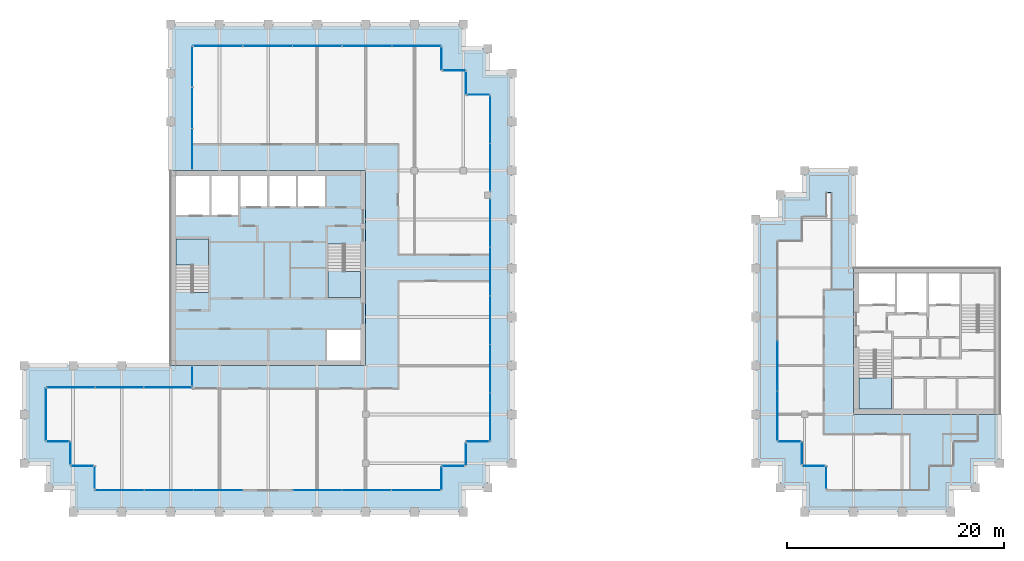
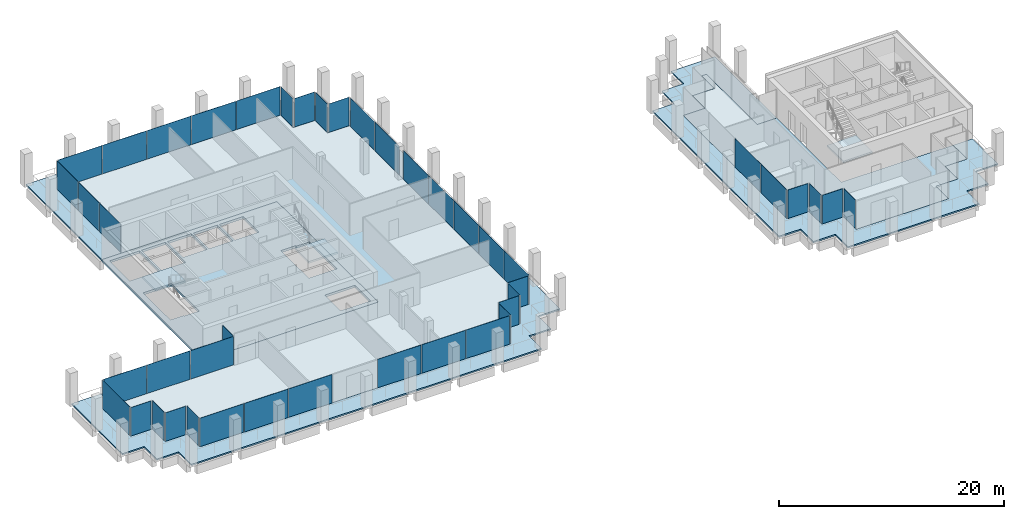
# One storey, part 34 of 40: 44 plates, 8 slabs, 29 elements without a shape of their own.
"""IFC4 building model written with IfcOpenShell, lengths in metres."""

from ifc_helpers import new_model, si_unit, direction, frame, origin, origin_2d, place, context, subcontext, project, spatial, polyline, rectangle, outline, extrude, material, layer, layer_set, type_object, element, aggregate, save


model = new_model("IFC4")

# Units and contexts
model_context = context("Model", 3, precision=1e-05, world=origin(), true_north=direction((0.0, 1.0)))
body_context = subcontext(model_context, "Body", "Model", "MODEL_VIEW")
ifc_project = project(units=[si_unit("LENGTHUNIT", "METRE"), si_unit("AREAUNIT", "SQUARE_METRE"), si_unit("VOLUMEUNIT", "CUBIC_METRE"), si_unit("PLANEANGLEUNIT", "RADIAN"), si_unit("MASSUNIT", "GRAM", prefix="KILO")], contexts=[model_context])

# Site, building, storey
site_placement = place(None, origin())
site = spatial("IfcSite", under=ifc_project, at=site_placement, CompositionType="ELEMENT")
building_placement = place(site_placement, origin())
building = spatial("IfcBuilding", under=site, at=building_placement, Name="Altepetl Exchange Towers", CompositionType="ELEMENT")
storey_placement = place(building_placement, frame((0.0, 0.0, 195.60009765625)))
storey = spatial("IfcBuildingStorey", under=building, at=storey_placement, Name="L49", CompositionType="ELEMENT", Elevation=195.60009765625)

# Slabs
ifc_material_1 = material(Name="Concrete C40/50", Category="concrete")
ifc_layer_1 = layer(ifc_material_1, 0.14990234375)
ifc_layer_set_1 = layer_set([ifc_layer_1], Name="Concrete C40/50")
slab_type_1 = type_object("IfcSlabType", Name="Composite floor slab 150", PredefinedType="FLOOR", material=ifc_layer_set_1)
slab_1_placement = place(storey_placement, frame((0.0, 0.0, -0.150146484375)))
element("IfcSlab", 1, at=slab_1_placement, inside=storey, type_object=slab_type_1, Name="slab:A:L49:strip0", PredefinedType="FLOOR", context=body_context, shape_type="SweptSolid", body=[
    extrude(outline(polyline([(42.5, 70.0), (42.5, 58.5), (58.5, 58.5), (58.5, 40.5), (42.5, 40.5), (42.5, 38.5), (29.0, 38.5), (29.0, 33.5), (31.25, 33.5), (31.25, 31.25), (33.5, 31.25), (33.5, 29.0), (65.5, 29.0), (65.5, 31.25), (67.75, 31.25), (67.75, 33.5), (70.0, 33.5), (70.0, 65.5), (67.75, 65.5), (67.75, 67.75), (65.5, 67.75), (65.5, 70.0), (42.5, 70.0)])), origin(), (0.0, 0.0, 1.0), 0.150146484375),
])
slab_2_placement = place(storey_placement, frame((0.0, 0.0, -0.150146484375)))
element("IfcSlab", 2, at=slab_2_placement, inside=storey, type_object=slab_type_1, Name="slab:B:L49:strip0", PredefinedType="FLOOR", context=body_context, shape_type="SweptSolid", body=[
    extrude(outline(polyline([(98.75, 31.25), (101.0, 31.25), (101.0, 29.0), (110.5, 29.0), (110.5, 31.25), (112.75, 31.25), (112.75, 33.5), (115.0, 33.5), (115.0, 36.0), (103.5, 36.0), (103.5, 47.5), (101.5, 47.5), (101.5, 56.5), (101.0, 56.5), (101.0, 54.25), (98.75, 54.25), (98.75, 52.0), (96.5, 52.0), (96.5, 33.5), (98.75, 33.5), (98.75, 31.25)])), origin(), (0.0, 0.0, 1.0), 0.150146484375),
])
ifc_layer_2 = layer(ifc_material_1, 0.25)
ifc_layer_set_2 = layer_set([ifc_layer_2], Name="Concrete C40/50")
slab_type_2 = type_object("IfcSlabType", Name="Core floor slab 250", PredefinedType="FLOOR", material=ifc_layer_set_2)
slab_3_placement = place(storey_placement, frame((0.0, 0.0, -0.25)))
element("IfcSlab", 3, at=slab_3_placement, inside=storey, type_object=slab_type_2, Name="slab:A:L49:core0", PredefinedType="FLOOR", context=body_context, shape_type="SweptSolid", body=[
    extrude(outline(polyline([(40.5, 40.5), (58.5, 40.5), (58.5, 58.5), (40.5, 58.5), (40.5, 40.5)]), holes=[polyline([(54.93310546875, 43.800048828125), (58.0, 43.800048828125), (58.0, 41.0), (54.93310546875, 41.0), (54.93310546875, 43.800048828125)]), polyline([(55.0, 51.7490234375), (56.550048828125, 51.7490234375), (56.550048828125, 51.64990234375), (57.89990234375, 51.64990234375), (57.89990234375, 46.800048828125), (55.0, 46.800048828125), (55.0, 51.7490234375)]), polyline([(44.0, 47.2509765625), (42.449951171875, 47.2509765625), (42.449951171875, 47.35009765625), (41.10009765625, 47.35009765625), (41.10009765625, 52.199951171875), (44.0, 52.199951171875), (44.0, 47.2509765625)]), polyline([(41.0, 58.0), (44.06689453125, 58.0), (44.06689453125, 54.39990234375), (41.0, 54.39990234375), (41.0, 58.0)]), polyline([(44.26708984375, 58.0), (46.73291015625, 58.0), (46.73291015625, 54.39990234375), (44.26708984375, 54.39990234375), (44.26708984375, 58.0)]), polyline([(46.93310546875, 58.0), (49.39990234375, 58.0), (49.39990234375, 55.199951171875), (46.93310546875, 55.199951171875), (46.93310546875, 58.0)]), polyline([(49.60009765625, 58.0), (52.06689453125, 58.0), (52.06689453125, 55.199951171875), (49.60009765625, 55.199951171875), (49.60009765625, 58.0)]), polyline([(52.26708984375, 58.0), (54.73291015625, 58.0), (54.73291015625, 55.199951171875), (52.26708984375, 55.199951171875), (52.26708984375, 58.0)])]), origin(), (0.0, 0.0, 1.0), 0.25),
])

# Curtain wall, plate
ifc_material_2 = material(Name="Aluminium 6063-T6 glazing", Category="aluminium")
curtain_wall_type = type_object("IfcCurtainWallType", Name="Loggia glazing system", PredefinedType="NOTDEFINED", material=ifc_material_2)
curtain_wall_1_placement = place(storey_placement, origin())
curtain_wall_1 = element("IfcCurtainWall", 4, at=curtain_wall_1_placement, inside=storey, type_object=curtain_wall_type, Name="CW1 run", PredefinedType="NOTDEFINED")
ifc_material_3 = material(Name="Glass 6-16-6 low emissivity", Category="glass")
ifc_layer_3 = layer(ifc_material_3, 0.028076171875)
ifc_layer_set_3 = layer_set([ifc_layer_3], Name="Glass 6-16-6 low emissivity")
plate_type = type_object("IfcPlateType", Name="Glass panel 28 double glazed", PredefinedType="CURTAIN_PANEL", material=ifc_layer_set_3)
plate_1_placement = place(storey_placement, frame((42.5, 39.53759765625, -0.000244140625), z_axis=(0.0, 0.0, 1.0), x_axis=(0.0, -1.0, 0.0)))
plate_1 = element("IfcPlate", 5, at=plate_1_placement, type_object=plate_type, Name="GP1 panel", PredefinedType="CURTAIN_PANEL", context=body_context, shape_type="SweptSolid", body=[
    extrude(rectangle(XDim=1.804931640625, YDim=0.028076171875, at=origin_2d()), origin(), (0.0, 0.0, 1.0), 3.10009765625),
])
aggregate(curtain_wall_1, [plate_1])

# Curtain wall, plates
curtain_wall_2_placement = place(storey_placement, origin())
curtain_wall_2 = element("IfcCurtainWall", 6, at=curtain_wall_2_placement, inside=storey, type_object=curtain_wall_type, Name="CW1 run", PredefinedType="NOTDEFINED")
plate_2_placement = place(storey_placement, frame((40.24755859375, 38.5, -0.000244140625), z_axis=(0.0, 0.0, 1.0), x_axis=(-1.0, 0.0, 0.0)))
plate_2 = element("IfcPlate", 7, at=plate_2_placement, type_object=plate_type, Name="GP1 panel", PredefinedType="CURTAIN_PANEL", context=body_context, shape_type="SweptSolid", body=[
    extrude(rectangle(XDim=4.385009765625, YDim=0.028076171875, at=origin_2d()), origin(), (0.0, 0.0, 1.0), 3.10009765625),
])
plate_3_placement = place(storey_placement, frame((35.78759765625, 38.5, -0.000244140625), z_axis=(0.0, 0.0, 1.0), x_axis=(-1.0, 0.0, 0.0)))
plate_3 = element("IfcPlate", 8, at=plate_3_placement, type_object=plate_type, Name="GP1 panel", PredefinedType="CURTAIN_PANEL", context=body_context, shape_type="SweptSolid", body=[
    extrude(rectangle(XDim=4.4150390625, YDim=0.028076171875, at=origin_2d()), origin(), (0.0, 0.0, 1.0), 3.10009765625),
])
plate_4_placement = place(storey_placement, frame((31.327392578125, 38.5, -0.000244140625), z_axis=(0.0, 0.0, 1.0), x_axis=(-1.0, 0.0, 0.0)))
plate_4 = element("IfcPlate", 9, at=plate_4_placement, type_object=plate_type, Name="GP1 panel", PredefinedType="CURTAIN_PANEL", context=body_context, shape_type="SweptSolid", body=[
    extrude(rectangle(XDim=4.385009765625, YDim=0.028076171875, at=origin_2d()), origin(), (0.0, 0.0, 1.0), 3.10009765625),
])
aggregate(curtain_wall_2, [plate_2, plate_3, plate_4])

# Curtain wall, plate
curtain_wall_3_placement = place(storey_placement, origin())
curtain_wall_3 = element("IfcCurtainWall", 10, at=curtain_wall_3_placement, inside=storey, type_object=curtain_wall_type, Name="CW1 run", PredefinedType="NOTDEFINED")
plate_5_placement = place(storey_placement, frame((29.0, 36.03759765625, -0.000244140625), z_axis=(0.0, 0.0, 1.0), x_axis=(0.0, -1.0, 0.0)))
plate_5 = element("IfcPlate", 11, at=plate_5_placement, type_object=plate_type, Name="GP1 panel", PredefinedType="CURTAIN_PANEL", context=body_context, shape_type="SweptSolid", body=[
    extrude(rectangle(XDim=4.804931640625, YDim=0.028076171875, at=origin_2d()), origin(), (0.0, 0.0, 1.0), 3.10009765625),
])
aggregate(curtain_wall_3, [plate_5])

curtain_wall_4_placement = place(storey_placement, origin())
curtain_wall_4 = element("IfcCurtainWall", 12, at=curtain_wall_4_placement, inside=storey, type_object=curtain_wall_type, Name="CW1 run", PredefinedType="NOTDEFINED")
plate_6_placement = place(storey_placement, frame((30.08740234375, 33.5, -0.000244140625)))
plate_6 = element("IfcPlate", 13, at=plate_6_placement, type_object=plate_type, Name="GP1 panel", PredefinedType="CURTAIN_PANEL", context=body_context, shape_type="SweptSolid", body=[
    extrude(rectangle(XDim=2.054931640625, YDim=0.028076171875, at=origin_2d()), origin(), (0.0, 0.0, 1.0), 3.10009765625),
])
aggregate(curtain_wall_4, [plate_6])

curtain_wall_5_placement = place(storey_placement, origin())
curtain_wall_5 = element("IfcCurtainWall", 14, at=curtain_wall_5_placement, inside=storey, type_object=curtain_wall_type, Name="CW1 run", PredefinedType="NOTDEFINED")
plate_7_placement = place(storey_placement, frame((31.25, 32.41259765625, -0.000244140625), z_axis=(0.0, 0.0, 1.0), x_axis=(0.0, -1.0, 0.0)))
plate_7 = element("IfcPlate", 15, at=plate_7_placement, type_object=plate_type, Name="GP1 panel", PredefinedType="CURTAIN_PANEL", context=body_context, shape_type="SweptSolid", body=[
    extrude(rectangle(XDim=2.054931640625, YDim=0.028076171875, at=origin_2d()), origin(), (0.0, 0.0, 1.0), 3.10009765625),
])
aggregate(curtain_wall_5, [plate_7])

curtain_wall_6_placement = place(storey_placement, origin())
curtain_wall_6 = element("IfcCurtainWall", 16, at=curtain_wall_6_placement, inside=storey, type_object=curtain_wall_type, Name="CW1 run", PredefinedType="NOTDEFINED")
plate_8_placement = place(storey_placement, frame((32.33740234375, 31.25, -0.000244140625)))
plate_8 = element("IfcPlate", 17, at=plate_8_placement, type_object=plate_type, Name="GP1 panel", PredefinedType="CURTAIN_PANEL", context=body_context, shape_type="SweptSolid", body=[
    extrude(rectangle(XDim=2.054931640625, YDim=0.028076171875, at=origin_2d()), origin(), (0.0, 0.0, 1.0), 3.10009765625),
])
aggregate(curtain_wall_6, [plate_8])

curtain_wall_7_placement = place(storey_placement, origin())
curtain_wall_7 = element("IfcCurtainWall", 18, at=curtain_wall_7_placement, inside=storey, type_object=curtain_wall_type, Name="CW1 run", PredefinedType="NOTDEFINED")
plate_9_placement = place(storey_placement, frame((33.5, 30.16259765625, -0.000244140625), z_axis=(0.0, 0.0, 1.0), x_axis=(0.0, -1.0, 0.0)))
plate_9 = element("IfcPlate", 19, at=plate_9_placement, type_object=plate_type, Name="GP1 panel", PredefinedType="CURTAIN_PANEL", context=body_context, shape_type="SweptSolid", body=[
    extrude(rectangle(XDim=2.054931640625, YDim=0.028076171875, at=origin_2d()), origin(), (0.0, 0.0, 1.0), 3.10009765625),
])
aggregate(curtain_wall_7, [plate_9])

# Curtain wall, plates
curtain_wall_8_placement = place(storey_placement, origin())
curtain_wall_8 = element("IfcCurtainWall", 20, at=curtain_wall_8_placement, inside=storey, type_object=curtain_wall_type, Name="CW1 run", PredefinedType="NOTDEFINED")
plate_10_placement = place(storey_placement, frame((35.79541015625, 29.0, -0.000244140625)))
plate_10 = element("IfcPlate", 21, at=plate_10_placement, type_object=plate_type, Name="GP1 panel", PredefinedType="CURTAIN_PANEL", context=body_context, shape_type="SweptSolid", body=[
    extrude(rectangle(XDim=4.470703125, YDim=0.028076171875, at=origin_2d()), origin(), (0.0, 0.0, 1.0), 3.10009765625),
])
plate_11_placement = place(storey_placement, frame((40.341064453125, 29.0, -0.000244140625)))
plate_11 = element("IfcPlate", 22, at=plate_11_placement, type_object=plate_type, Name="GP1 panel", PredefinedType="CURTAIN_PANEL", context=body_context, shape_type="SweptSolid", body=[
    extrude(rectangle(XDim=4.500732421875, YDim=0.028076171875, at=origin_2d()), origin(), (0.0, 0.0, 1.0), 3.10009765625),
])
plate_12_placement = place(storey_placement, frame((44.88671875, 29.0, -0.000244140625)))
plate_12 = element("IfcPlate", 23, at=plate_12_placement, type_object=plate_type, Name="GP1 panel", PredefinedType="CURTAIN_PANEL", context=body_context, shape_type="SweptSolid", body=[
    extrude(rectangle(XDim=4.470703125, YDim=0.028076171875, at=origin_2d()), origin(), (0.0, 0.0, 1.0), 3.10009765625),
])
aggregate(curtain_wall_8, [plate_10, plate_11, plate_12])

curtain_wall_9_placement = place(storey_placement, origin())
curtain_wall_9 = element("IfcCurtainWall", 24, at=curtain_wall_9_placement, inside=storey, type_object=curtain_wall_type, Name="CW1 run", PredefinedType="NOTDEFINED")
plate_13_placement = place(storey_placement, frame((54.038330078125, 29.0, -0.000244140625)))
plate_13 = element("IfcPlate", 25, at=plate_13_placement, type_object=plate_type, Name="GP1 panel", PredefinedType="CURTAIN_PANEL", context=body_context, shape_type="SweptSolid", body=[
    extrude(rectangle(XDim=4.470703125, YDim=0.028076171875, at=origin_2d()), origin(), (0.0, 0.0, 1.0), 3.10009765625),
])
plate_14_placement = place(storey_placement, frame((58.583984375, 29.0, -0.000244140625)))
plate_14 = element("IfcPlate", 26, at=plate_14_placement, type_object=plate_type, Name="GP1 panel", PredefinedType="CURTAIN_PANEL", context=body_context, shape_type="SweptSolid", body=[
    extrude(rectangle(XDim=4.500732421875, YDim=0.028076171875, at=origin_2d()), origin(), (0.0, 0.0, 1.0), 3.10009765625),
])
plate_15_placement = place(storey_placement, frame((63.129638671875, 29.0, -0.000244140625)))
plate_15 = element("IfcPlate", 27, at=plate_15_placement, type_object=plate_type, Name="GP1 panel", PredefinedType="CURTAIN_PANEL", context=body_context, shape_type="SweptSolid", body=[
    extrude(rectangle(XDim=4.470703125, YDim=0.028076171875, at=origin_2d()), origin(), (0.0, 0.0, 1.0), 3.10009765625),
])
aggregate(curtain_wall_9, [plate_13, plate_14, plate_15])

# Curtain wall, plate
curtain_wall_10_placement = place(storey_placement, origin())
curtain_wall_10 = element("IfcCurtainWall", 28, at=curtain_wall_10_placement, inside=storey, type_object=curtain_wall_type, Name="CW1 run", PredefinedType="NOTDEFINED")
plate_16_placement = place(storey_placement, frame((65.5, 30.08740234375, -0.000244140625), z_axis=(0.0, 0.0, 1.0), x_axis=(0.0, 1.0, 0.0)))
plate_16 = element("IfcPlate", 29, at=plate_16_placement, type_object=plate_type, Name="GP1 panel", PredefinedType="CURTAIN_PANEL", context=body_context, shape_type="SweptSolid", body=[
    extrude(rectangle(XDim=2.054931640625, YDim=0.028076171875, at=origin_2d()), origin(), (0.0, 0.0, 1.0), 3.10009765625),
])
aggregate(curtain_wall_10, [plate_16])

curtain_wall_11_placement = place(storey_placement, origin())
curtain_wall_11 = element("IfcCurtainWall", 30, at=curtain_wall_11_placement, inside=storey, type_object=curtain_wall_type, Name="CW1 run", PredefinedType="NOTDEFINED")
plate_17_placement = place(storey_placement, frame((66.58740234375, 31.25, -0.000244140625)))
plate_17 = element("IfcPlate", 31, at=plate_17_placement, type_object=plate_type, Name="GP1 panel", PredefinedType="CURTAIN_PANEL", context=body_context, shape_type="SweptSolid", body=[
    extrude(rectangle(XDim=2.054931640625, YDim=0.028076171875, at=origin_2d()), origin(), (0.0, 0.0, 1.0), 3.10009765625),
])
aggregate(curtain_wall_11, [plate_17])

curtain_wall_12_placement = place(storey_placement, origin())
curtain_wall_12 = element("IfcCurtainWall", 32, at=curtain_wall_12_placement, inside=storey, type_object=curtain_wall_type, Name="CW1 run", PredefinedType="NOTDEFINED")
plate_18_placement = place(storey_placement, frame((67.75, 32.33740234375, -0.000244140625), z_axis=(0.0, 0.0, 1.0), x_axis=(0.0, 1.0, 0.0)))
plate_18 = element("IfcPlate", 33, at=plate_18_placement, type_object=plate_type, Name="GP1 panel", PredefinedType="CURTAIN_PANEL", context=body_context, shape_type="SweptSolid", body=[
    extrude(rectangle(XDim=2.054931640625, YDim=0.028076171875, at=origin_2d()), origin(), (0.0, 0.0, 1.0), 3.10009765625),
])
aggregate(curtain_wall_12, [plate_18])

curtain_wall_13_placement = place(storey_placement, origin())
curtain_wall_13 = element("IfcCurtainWall", 34, at=curtain_wall_13_placement, inside=storey, type_object=curtain_wall_type, Name="CW1 run", PredefinedType="NOTDEFINED")
plate_19_placement = place(storey_placement, frame((68.83740234375, 33.5, -0.000244140625)))
plate_19 = element("IfcPlate", 35, at=plate_19_placement, type_object=plate_type, Name="GP1 panel", PredefinedType="CURTAIN_PANEL", context=body_context, shape_type="SweptSolid", body=[
    extrude(rectangle(XDim=2.054931640625, YDim=0.028076171875, at=origin_2d()), origin(), (0.0, 0.0, 1.0), 3.10009765625),
])
aggregate(curtain_wall_13, [plate_19])

# Curtain wall, plates
curtain_wall_14_placement = place(storey_placement, origin())
curtain_wall_14 = element("IfcCurtainWall", 36, at=curtain_wall_14_placement, inside=storey, type_object=curtain_wall_type, Name="CW1 run", PredefinedType="NOTDEFINED")
plate_20_placement = place(storey_placement, frame((70.0, 35.758056640625, -0.000244140625), z_axis=(0.0, 0.0, 1.0), x_axis=(0.0, 1.0, 0.0)))
plate_20 = element("IfcPlate", 37, at=plate_20_placement, type_object=plate_type, Name="GP1 panel", PredefinedType="CURTAIN_PANEL", context=body_context, shape_type="SweptSolid", body=[
    extrude(rectangle(XDim=4.39599609375, YDim=0.028076171875, at=origin_2d()), origin(), (0.0, 0.0, 1.0), 3.10009765625),
])
plate_21_placement = place(storey_placement, frame((70.0, 40.22900390625, -0.000244140625), z_axis=(0.0, 0.0, 1.0), x_axis=(0.0, 1.0, 0.0)))
plate_21 = element("IfcPlate", 38, at=plate_21_placement, type_object=plate_type, Name="GP1 panel", PredefinedType="CURTAIN_PANEL", context=body_context, shape_type="SweptSolid", body=[
    extrude(rectangle(XDim=4.426025390625, YDim=0.028076171875, at=origin_2d()), origin(), (0.0, 0.0, 1.0), 3.10009765625),
])
plate_22_placement = place(storey_placement, frame((70.0, 44.715087890625, -0.000244140625), z_axis=(0.0, 0.0, 1.0), x_axis=(0.0, 1.0, 0.0)))
plate_22 = element("IfcPlate", 39, at=plate_22_placement, type_object=plate_type, Name="GP1 panel", PredefinedType="CURTAIN_PANEL", context=body_context, shape_type="SweptSolid", body=[
    extrude(rectangle(XDim=4.426025390625, YDim=0.028076171875, at=origin_2d()), origin(), (0.0, 0.0, 1.0), 3.10009765625),
])
plate_23_placement = place(storey_placement, frame((70.0, 49.200927734375, -0.000244140625), z_axis=(0.0, 0.0, 1.0), x_axis=(0.0, 1.0, 0.0)))
plate_23 = element("IfcPlate", 40, at=plate_23_placement, type_object=plate_type, Name="GP1 panel", PredefinedType="CURTAIN_PANEL", context=body_context, shape_type="SweptSolid", body=[
    extrude(rectangle(XDim=4.426025390625, YDim=0.028076171875, at=origin_2d()), origin(), (0.0, 0.0, 1.0), 3.10009765625),
])
plate_24_placement = place(storey_placement, frame((70.0, 53.672119140625, -0.000244140625), z_axis=(0.0, 0.0, 1.0), x_axis=(0.0, 1.0, 0.0)))
plate_24 = element("IfcPlate", 41, at=plate_24_placement, type_object=plate_type, Name="GP1 panel", PredefinedType="CURTAIN_PANEL", context=body_context, shape_type="SweptSolid", body=[
    extrude(rectangle(XDim=4.39599609375, YDim=0.028076171875, at=origin_2d()), origin(), (0.0, 0.0, 1.0), 3.10009765625),
])
aggregate(curtain_wall_14, [plate_20, plate_21, plate_22, plate_23, plate_24])

curtain_wall_15_placement = place(storey_placement, origin())
curtain_wall_15 = element("IfcCurtainWall", 42, at=curtain_wall_15_placement, inside=storey, type_object=curtain_wall_type, Name="CW1 run", PredefinedType="NOTDEFINED")
plate_25_placement = place(storey_placement, frame((70.0, 58.798828125, -0.000244140625), z_axis=(0.0, 0.0, 1.0), x_axis=(0.0, 1.0, 0.0)))
plate_25 = element("IfcPlate", 43, at=plate_25_placement, type_object=plate_type, Name="GP1 panel", PredefinedType="CURTAIN_PANEL", context=body_context, shape_type="SweptSolid", body=[
    extrude(rectangle(XDim=4.33740234375, YDim=0.028076171875, at=origin_2d()), origin(), (0.0, 0.0, 1.0), 3.10009765625),
])
plate_26_placement = place(storey_placement, frame((70.0, 63.1962890625, -0.000244140625), z_axis=(0.0, 0.0, 1.0), x_axis=(0.0, 1.0, 0.0)))
plate_26 = element("IfcPlate", 44, at=plate_26_placement, type_object=plate_type, Name="GP1 panel", PredefinedType="CURTAIN_PANEL", context=body_context, shape_type="SweptSolid", body=[
    extrude(rectangle(XDim=4.33740234375, YDim=0.028076171875, at=origin_2d()), origin(), (0.0, 0.0, 1.0), 3.10009765625),
])
aggregate(curtain_wall_15, [plate_25, plate_26])

# Curtain wall, plate
curtain_wall_16_placement = place(storey_placement, origin())
curtain_wall_16 = element("IfcCurtainWall", 45, at=curtain_wall_16_placement, inside=storey, type_object=curtain_wall_type, Name="CW1 run", PredefinedType="NOTDEFINED")
plate_27_placement = place(storey_placement, frame((68.91259765625, 65.5, -0.000244140625), z_axis=(0.0, 0.0, 1.0), x_axis=(-1.0, 0.0, 0.0)))
plate_27 = element("IfcPlate", 46, at=plate_27_placement, type_object=plate_type, Name="GP1 panel", PredefinedType="CURTAIN_PANEL", context=body_context, shape_type="SweptSolid", body=[
    extrude(rectangle(XDim=2.054931640625, YDim=0.028076171875, at=origin_2d()), origin(), (0.0, 0.0, 1.0), 3.10009765625),
])
aggregate(curtain_wall_16, [plate_27])

curtain_wall_17_placement = place(storey_placement, origin())
curtain_wall_17 = element("IfcCurtainWall", 47, at=curtain_wall_17_placement, inside=storey, type_object=curtain_wall_type, Name="CW1 run", PredefinedType="NOTDEFINED")
plate_28_placement = place(storey_placement, frame((67.75, 66.58740234375, -0.000244140625), z_axis=(0.0, 0.0, 1.0), x_axis=(0.0, 1.0, 0.0)))
plate_28 = element("IfcPlate", 48, at=plate_28_placement, type_object=plate_type, Name="GP1 panel", PredefinedType="CURTAIN_PANEL", context=body_context, shape_type="SweptSolid", body=[
    extrude(rectangle(XDim=2.054931640625, YDim=0.028076171875, at=origin_2d()), origin(), (0.0, 0.0, 1.0), 3.10009765625),
])
aggregate(curtain_wall_17, [plate_28])

curtain_wall_18_placement = place(storey_placement, origin())
curtain_wall_18 = element("IfcCurtainWall", 49, at=curtain_wall_18_placement, inside=storey, type_object=curtain_wall_type, Name="CW1 run", PredefinedType="NOTDEFINED")
plate_29_placement = place(storey_placement, frame((66.66259765625, 67.75, -0.000244140625), z_axis=(0.0, 0.0, 1.0), x_axis=(-1.0, 0.0, 0.0)))
plate_29 = element("IfcPlate", 50, at=plate_29_placement, type_object=plate_type, Name="GP1 panel", PredefinedType="CURTAIN_PANEL", context=body_context, shape_type="SweptSolid", body=[
    extrude(rectangle(XDim=2.054931640625, YDim=0.028076171875, at=origin_2d()), origin(), (0.0, 0.0, 1.0), 3.10009765625),
])
aggregate(curtain_wall_18, [plate_29])

curtain_wall_19_placement = place(storey_placement, origin())
curtain_wall_19 = element("IfcCurtainWall", 51, at=curtain_wall_19_placement, inside=storey, type_object=curtain_wall_type, Name="CW1 run", PredefinedType="NOTDEFINED")
plate_30_placement = place(storey_placement, frame((65.5, 68.83740234375, -0.000244140625), z_axis=(0.0, 0.0, 1.0), x_axis=(0.0, 1.0, 0.0)))
plate_30 = element("IfcPlate", 52, at=plate_30_placement, type_object=plate_type, Name="GP1 panel", PredefinedType="CURTAIN_PANEL", context=body_context, shape_type="SweptSolid", body=[
    extrude(rectangle(XDim=2.054931640625, YDim=0.028076171875, at=origin_2d()), origin(), (0.0, 0.0, 1.0), 3.10009765625),
])
aggregate(curtain_wall_19, [plate_30])

# Curtain wall, plates
curtain_wall_20_placement = place(storey_placement, origin())
curtain_wall_20 = element("IfcCurtainWall", 53, at=curtain_wall_20_placement, inside=storey, type_object=curtain_wall_type, Name="CW1 run", PredefinedType="NOTDEFINED")
plate_31_placement = place(storey_placement, frame((63.1923828125, 70.0, -0.000244140625), z_axis=(0.0, 0.0, 1.0), x_axis=(-1.0, 0.0, 0.0)))
plate_31 = element("IfcPlate", 54, at=plate_31_placement, type_object=plate_type, Name="GP1 panel", PredefinedType="CURTAIN_PANEL", context=body_context, shape_type="SweptSolid", body=[
    extrude(rectangle(XDim=4.4951171875, YDim=0.028076171875, at=origin_2d()), origin(), (0.0, 0.0, 1.0), 3.10009765625),
])
plate_32_placement = place(storey_placement, frame((58.62255859375, 70.0, -0.000244140625), z_axis=(0.0, 0.0, 1.0), x_axis=(-1.0, 0.0, 0.0)))
plate_32 = element("IfcPlate", 55, at=plate_32_placement, type_object=plate_type, Name="GP1 panel", PredefinedType="CURTAIN_PANEL", context=body_context, shape_type="SweptSolid", body=[
    extrude(rectangle(XDim=4.52490234375, YDim=0.028076171875, at=origin_2d()), origin(), (0.0, 0.0, 1.0), 3.10009765625),
])
plate_33_placement = place(storey_placement, frame((54.03759765625, 70.0, -0.000244140625), z_axis=(0.0, 0.0, 1.0), x_axis=(-1.0, 0.0, 0.0)))
plate_33 = element("IfcPlate", 56, at=plate_33_placement, type_object=plate_type, Name="GP1 panel", PredefinedType="CURTAIN_PANEL", context=body_context, shape_type="SweptSolid", body=[
    extrude(rectangle(XDim=4.52490234375, YDim=0.028076171875, at=origin_2d()), origin(), (0.0, 0.0, 1.0), 3.10009765625),
])
plate_34_placement = place(storey_placement, frame((49.452392578125, 70.0, -0.000244140625), z_axis=(0.0, 0.0, 1.0), x_axis=(-1.0, 0.0, 0.0)))
plate_34 = element("IfcPlate", 57, at=plate_34_placement, type_object=plate_type, Name="GP1 panel", PredefinedType="CURTAIN_PANEL", context=body_context, shape_type="SweptSolid", body=[
    extrude(rectangle(XDim=4.52490234375, YDim=0.028076171875, at=origin_2d()), origin(), (0.0, 0.0, 1.0), 3.10009765625),
])
plate_35_placement = place(storey_placement, frame((44.882568359375, 70.0, -0.000244140625), z_axis=(0.0, 0.0, 1.0), x_axis=(-1.0, 0.0, 0.0)))
plate_35 = element("IfcPlate", 58, at=plate_35_placement, type_object=plate_type, Name="GP1 panel", PredefinedType="CURTAIN_PANEL", context=body_context, shape_type="SweptSolid", body=[
    extrude(rectangle(XDim=4.4951171875, YDim=0.028076171875, at=origin_2d()), origin(), (0.0, 0.0, 1.0), 3.10009765625),
])
aggregate(curtain_wall_20, [plate_31, plate_32, plate_33, plate_34, plate_35])

curtain_wall_21_placement = place(storey_placement, origin())
curtain_wall_21 = element("IfcCurtainWall", 59, at=curtain_wall_21_placement, inside=storey, type_object=curtain_wall_type, Name="CW1 run", PredefinedType="NOTDEFINED")
plate_36_placement = place(storey_placement, frame((42.5, 68.080810546875, -0.000244140625), z_axis=(0.0, 0.0, 1.0), x_axis=(0.0, -1.0, 0.0)))
plate_36 = element("IfcPlate", 60, at=plate_36_placement, type_object=plate_type, Name="GP1 panel", PredefinedType="CURTAIN_PANEL", context=body_context, shape_type="SweptSolid", body=[
    extrude(rectangle(XDim=3.71826171875, YDim=0.028076171875, at=origin_2d()), origin(), (0.0, 0.0, 1.0), 3.10009765625),
])
plate_37_placement = place(storey_placement, frame((42.5, 64.28759765625, -0.000244140625), z_axis=(0.0, 0.0, 1.0), x_axis=(0.0, -1.0, 0.0)))
plate_37 = element("IfcPlate", 61, at=plate_37_placement, type_object=plate_type, Name="GP1 panel", PredefinedType="CURTAIN_PANEL", context=body_context, shape_type="SweptSolid", body=[
    extrude(rectangle(XDim=3.748291015625, YDim=0.028076171875, at=origin_2d()), origin(), (0.0, 0.0, 1.0), 3.10009765625),
])
plate_38_placement = place(storey_placement, frame((42.5, 60.494140625, -0.000244140625), z_axis=(0.0, 0.0, 1.0), x_axis=(0.0, -1.0, 0.0)))
plate_38 = element("IfcPlate", 62, at=plate_38_placement, type_object=plate_type, Name="GP1 panel", PredefinedType="CURTAIN_PANEL", context=body_context, shape_type="SweptSolid", body=[
    extrude(rectangle(XDim=3.71826171875, YDim=0.028076171875, at=origin_2d()), origin(), (0.0, 0.0, 1.0), 3.10009765625),
])
aggregate(curtain_wall_21, [plate_36, plate_37, plate_38])

# Curtain wall, plate
curtain_wall_22_placement = place(storey_placement, origin())
curtain_wall_22 = element("IfcCurtainWall", 63, at=curtain_wall_22_placement, inside=storey, type_object=curtain_wall_type, Name="CW1 run", PredefinedType="NOTDEFINED")
plate_39_placement = place(storey_placement, frame((101.0, 30.16259765625, -0.000244140625), z_axis=(0.0, 0.0, 1.0), x_axis=(0.0, -1.0, 0.0)))
plate_39 = element("IfcPlate", 64, at=plate_39_placement, type_object=plate_type, Name="GP1 panel", PredefinedType="CURTAIN_PANEL", context=body_context, shape_type="SweptSolid", body=[
    extrude(rectangle(XDim=2.054931640625, YDim=0.028076171875, at=origin_2d()), origin(), (0.0, 0.0, 1.0), 3.10009765625),
])
aggregate(curtain_wall_22, [plate_39])

# Curtain wall, plates
curtain_wall_23_placement = place(storey_placement, origin())
curtain_wall_23 = element("IfcCurtainWall", 65, at=curtain_wall_23_placement, inside=storey, type_object=curtain_wall_type, Name="CW1 run", PredefinedType="NOTDEFINED")
plate_40_placement = place(storey_placement, frame((96.5, 40.484375, -0.000244140625), z_axis=(0.0, 0.0, 1.0), x_axis=(0.0, -1.0, 0.0)))
plate_40 = element("IfcPlate", 66, at=plate_40_placement, type_object=plate_type, Name="GP1 panel", PredefinedType="CURTAIN_PANEL", context=body_context, shape_type="SweptSolid", body=[
    extrude(rectangle(XDim=4.546142578125, YDim=0.028076171875, at=origin_2d()), origin(), (0.0, 0.0, 1.0), 3.10009765625),
])
plate_41_placement = place(storey_placement, frame((96.5, 35.89306640625, -0.000244140625), z_axis=(0.0, 0.0, 1.0), x_axis=(0.0, -1.0, 0.0)))
plate_41 = element("IfcPlate", 67, at=plate_41_placement, type_object=plate_type, Name="GP1 panel", PredefinedType="CURTAIN_PANEL", context=body_context, shape_type="SweptSolid", body=[
    extrude(rectangle(XDim=4.516357421875, YDim=0.028076171875, at=origin_2d()), origin(), (0.0, 0.0, 1.0), 3.10009765625),
])
aggregate(curtain_wall_23, [plate_40, plate_41])

# Curtain wall, plate
curtain_wall_24_placement = place(storey_placement, origin())
curtain_wall_24 = element("IfcCurtainWall", 68, at=curtain_wall_24_placement, inside=storey, type_object=curtain_wall_type, Name="CW1 run", PredefinedType="NOTDEFINED")
plate_42_placement = place(storey_placement, frame((97.58740234375, 33.5, -0.000244140625)))
plate_42 = element("IfcPlate", 69, at=plate_42_placement, type_object=plate_type, Name="GP1 panel", PredefinedType="CURTAIN_PANEL", context=body_context, shape_type="SweptSolid", body=[
    extrude(rectangle(XDim=2.054931640625, YDim=0.028076171875, at=origin_2d()), origin(), (0.0, 0.0, 1.0), 3.10009765625),
])
aggregate(curtain_wall_24, [plate_42])

curtain_wall_25_placement = place(storey_placement, origin())
curtain_wall_25 = element("IfcCurtainWall", 70, at=curtain_wall_25_placement, inside=storey, type_object=curtain_wall_type, Name="CW1 run", PredefinedType="NOTDEFINED")
plate_43_placement = place(storey_placement, frame((98.75, 32.41259765625, -0.000244140625), z_axis=(0.0, 0.0, 1.0), x_axis=(0.0, -1.0, 0.0)))
plate_43 = element("IfcPlate", 71, at=plate_43_placement, type_object=plate_type, Name="GP1 panel", PredefinedType="CURTAIN_PANEL", context=body_context, shape_type="SweptSolid", body=[
    extrude(rectangle(XDim=2.054931640625, YDim=0.028076171875, at=origin_2d()), origin(), (0.0, 0.0, 1.0), 3.10009765625),
])
aggregate(curtain_wall_25, [plate_43])

curtain_wall_26_placement = place(storey_placement, origin())
curtain_wall_26 = element("IfcCurtainWall", 72, at=curtain_wall_26_placement, inside=storey, type_object=curtain_wall_type, Name="CW1 run", PredefinedType="NOTDEFINED")
plate_44_placement = place(storey_placement, frame((99.83740234375, 31.25, -0.000244140625)))
plate_44 = element("IfcPlate", 73, at=plate_44_placement, type_object=plate_type, Name="GP1 panel", PredefinedType="CURTAIN_PANEL", context=body_context, shape_type="SweptSolid", body=[
    extrude(rectangle(XDim=2.054931640625, YDim=0.028076171875, at=origin_2d()), origin(), (0.0, 0.0, 1.0), 3.10009765625),
])
aggregate(curtain_wall_26, [plate_44])

# Slabs
ifc_layer_4 = layer(ifc_material_1, 0.14990234375)
ifc_layer_set_4 = layer_set([ifc_layer_4], Name="Concrete C40/50")
slab_type_3 = type_object("IfcSlabType", Name="Loggia slab 150", PredefinedType="FLOOR", material=ifc_layer_set_4)
slab_4_placement = place(storey_placement, frame((0.0, 0.0, -0.150146484375)))
element("IfcSlab", 74, at=slab_4_placement, inside=storey, type_object=slab_type_3, Name="slab:A:L49:loggia0", PredefinedType="FLOOR", context=body_context, shape_type="SweptSolid", body=[
    extrude(outline(polyline([(40.5, 72.0), (40.5, 58.5), (42.5, 58.5), (42.5, 70.0), (65.5, 70.0), (65.5, 67.75), (67.75, 67.75), (67.75, 65.5), (70.0, 65.5), (70.0, 33.5), (67.75, 33.5), (67.75, 31.25), (65.5, 31.25), (65.5, 29.0), (33.5, 29.0), (33.5, 31.25), (31.25, 31.25), (31.25, 33.5), (29.0, 33.5), (29.0, 38.5), (42.5, 38.5), (42.5, 40.5), (40.5, 40.5), (27.0, 40.5), (27.0, 31.5), (29.25, 31.5), (29.25, 29.25), (31.5, 29.25), (31.5, 27.0), (58.5, 27.0), (67.5, 27.0), (67.5, 29.25), (69.75, 29.25), (69.75, 31.5), (72.0, 31.5), (72.0, 58.5), (72.0, 67.5), (69.75, 67.5), (69.75, 69.75), (67.5, 69.75), (67.5, 72.0), (40.5, 72.0)])), origin(), (0.0, 0.0, 1.0), 0.150146484375),
])
slab_5_placement = place(storey_placement, frame((0.0, 0.0, -0.150146484375)))
element("IfcSlab", 75, at=slab_5_placement, inside=storey, type_object=slab_type_3, Name="slab:B:L49:loggia0", PredefinedType="FLOOR", context=body_context, shape_type="SweptSolid", body=[
    extrude(outline(polyline([(99.0, 29.25), (99.0, 27.0), (112.5, 27.0), (112.5, 29.25), (114.75, 29.25), (114.75, 31.5), (117.0, 31.5), (117.0, 36.0), (115.0, 36.0), (115.0, 33.5), (112.75, 33.5), (112.75, 31.25), (110.5, 31.25), (110.5, 29.0), (101.0, 29.0), (101.0, 31.25), (98.75, 31.25), (98.75, 33.5), (96.5, 33.5), (96.5, 52.0), (98.75, 52.0), (98.75, 54.25), (101.0, 54.25), (101.0, 56.5), (101.5, 56.5), (101.5, 47.5), (103.5, 47.5), (103.5, 49.5), (103.5, 58.5), (99.0, 58.5), (99.0, 56.25), (96.75, 56.25), (96.75, 54.0), (94.5, 54.0), (94.5, 36.0), (94.5, 31.5), (96.75, 31.5), (96.75, 29.25), (99.0, 29.25)])), origin(), (0.0, 0.0, 1.0), 0.150146484375),
])

# Stair, slab
stair_type = type_object("IfcStairType", Name="Exit stair 1450 flights dogleg", PredefinedType="HALF_TURN_STAIR", material=ifc_material_1)
stair_1_placement = place(storey_placement, origin())
stair_1 = element("IfcStair", 76, at=stair_1_placement, inside=storey, type_object=stair_type, Name="Exit stair 1", PredefinedType="HALF_TURN_STAIR")
ifc_layer_5 = layer(ifc_material_1, 0.199951171875)
ifc_layer_set_5 = layer_set([ifc_layer_5], Name="Concrete C40/50")
slab_type_4 = type_object("IfcSlabType", Name="Stair landing 200 reinforced concrete", PredefinedType="LANDING", material=ifc_layer_set_5)
slab_6_placement = place(storey_placement, frame((0.0, 0.0, 1.599853515625)))
slab_6 = element("IfcSlab", 77, at=slab_6_placement, type_object=slab_type_4, Name="ST-A1f landing 1", PredefinedType="LANDING", context=body_context, shape_type="SweptSolid", body=[
    extrude(outline(polyline([(44.0, 49.715087890625), (42.550048828125, 49.715087890625), (42.550048828125, 49.81494140625), (42.449951171875, 49.81494140625), (42.449951171875, 49.814208984375), (41.0, 49.814208984375), (41.0, 49.81494140625), (41.0, 52.199951171875), (44.0, 52.199951171875), (44.0, 49.81494140625), (44.0, 49.715087890625)])), origin(), (0.0, 0.0, 1.0), 0.199951171875),
])
aggregate(stair_1, [slab_6])

stair_2_placement = place(storey_placement, origin())
stair_2 = element("IfcStair", 78, at=stair_2_placement, inside=storey, type_object=stair_type, Name="Exit stair 2", PredefinedType="HALF_TURN_STAIR")
slab_7_placement = place(storey_placement, frame((0.0, 0.0, 1.599853515625)))
slab_7 = element("IfcSlab", 79, at=slab_7_placement, type_object=slab_type_4, Name="ST-A2f landing 1", PredefinedType="LANDING", context=body_context, shape_type="SweptSolid", body=[
    extrude(outline(polyline([(58.0, 46.800048828125), (55.0, 46.800048828125), (55.0, 49.18505859375), (55.0, 49.284912109375), (56.449951171875, 49.284912109375), (56.449951171875, 49.18505859375), (56.550048828125, 49.18505859375), (56.550048828125, 49.185791015625), (58.0, 49.185791015625), (58.0, 49.18505859375), (58.0, 46.800048828125)])), origin(), (0.0, 0.0, 1.0), 0.199951171875),
])
aggregate(stair_2, [slab_7])

stair_3_placement = place(storey_placement, origin())
stair_3 = element("IfcStair", 80, at=stair_3_placement, inside=storey, type_object=stair_type, Name="Exit stair 1", PredefinedType="HALF_TURN_STAIR")
slab_8_placement = place(storey_placement, frame((0.0, 0.0, 1.599853515625)))
slab_8 = element("IfcSlab", 81, at=slab_8_placement, type_object=slab_type_4, Name="ST-B1f landing 1", PredefinedType="LANDING", context=body_context, shape_type="SweptSolid", body=[
    extrude(outline(polyline([(107.0, 36.5), (104.0, 36.5), (104.0, 39.385009765625), (104.0, 39.3857421875), (105.449951171875, 39.3857421875), (105.449951171875, 39.385009765625), (105.550048828125, 39.385009765625), (105.550048828125, 39.485107421875), (107.0, 39.485107421875), (107.0, 39.385009765625), (107.0, 36.5)])), origin(), (0.0, 0.0, 1.0), 0.199951171875),
])
aggregate(stair_3, [slab_8])

save(model, "model.ifc")
